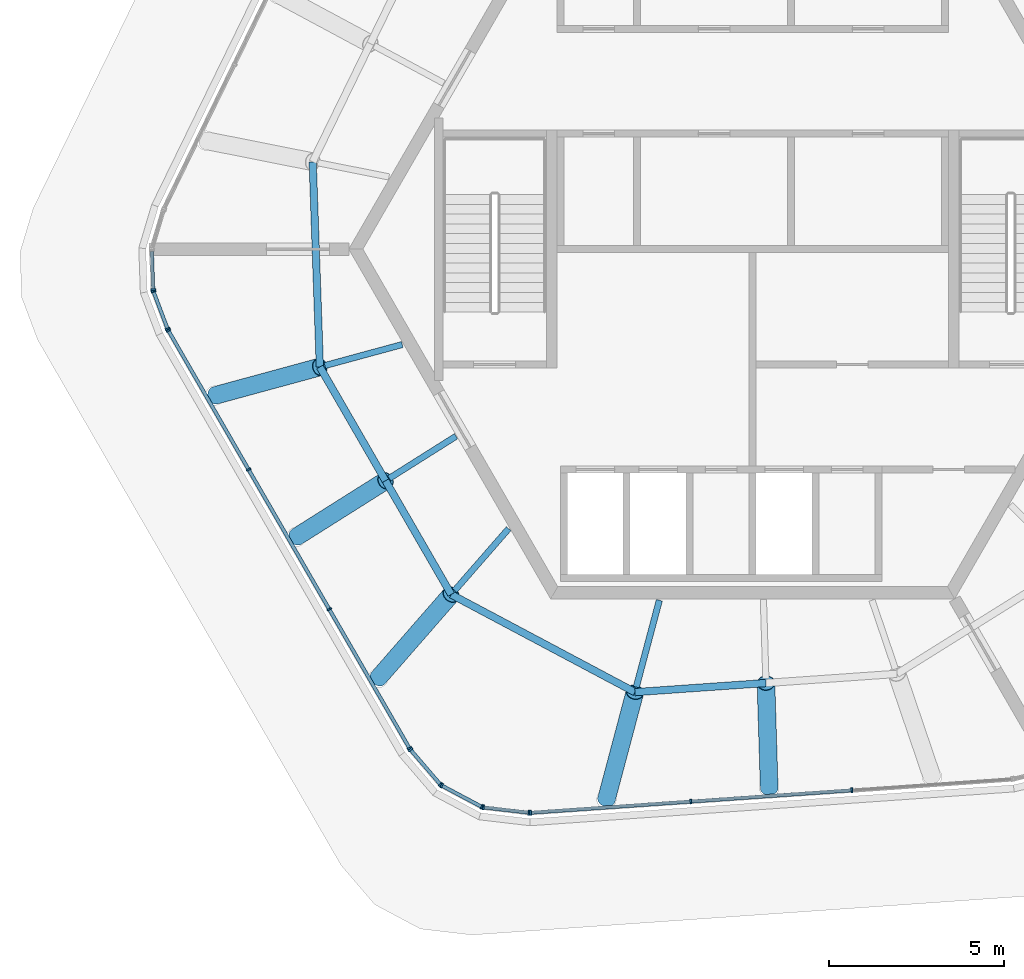
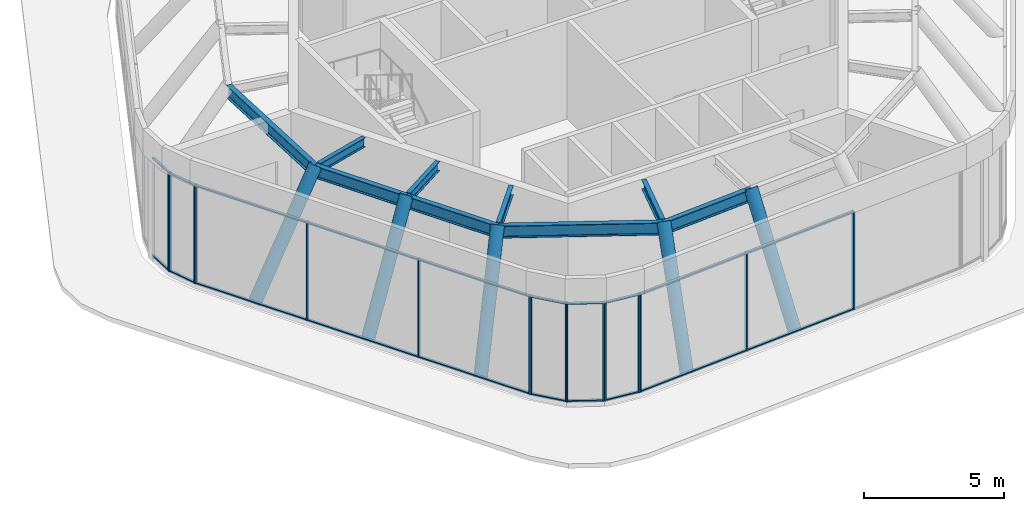
# One storey, part 1 of 9: 41 members, 9 beams, 7 elements without a shape of their own.
"""IFC4 building model written with IfcOpenShell, lengths in metres."""

from ifc_helpers import new_model, si_unit, direction, frame, origin, origin_2d, place, context, subcontext, project, spatial, rectangle, hollow_circle, i_section, extrude, material, material_profile, profile_set, type_object, element, aggregate, save


model = new_model("IFC4")

# Units and contexts
model_context = context("Model", 3, precision=1e-05, world=origin(), true_north=direction((0.0, 1.0)))
body_context = subcontext(model_context, "Body", "Model", "MODEL_VIEW")
ifc_project = project(units=[si_unit("LENGTHUNIT", "METRE"), si_unit("AREAUNIT", "SQUARE_METRE"), si_unit("VOLUMEUNIT", "CUBIC_METRE"), si_unit("PLANEANGLEUNIT", "RADIAN"), si_unit("MASSUNIT", "GRAM", prefix="KILO")], contexts=[model_context])

# Site, building, storey
site_placement = place(None, origin())
site = spatial("IfcSite", under=ifc_project, at=site_placement, CompositionType="ELEMENT")
building_placement = place(site_placement, origin())
building = spatial("IfcBuilding", under=site, at=building_placement, Name="Tarnside Tower", CompositionType="ELEMENT")
storey_placement = place(building_placement, frame((0.0, 0.0, 397.199951171875)))
storey = spatial("IfcBuildingStorey", under=building, at=storey_placement, Name="L94", CompositionType="ELEMENT", Elevation=397.199951171875)

# Curtain wall, members
ifc_material_1 = material(Name="Crown glazing wall", Category="glass")
curtain_wall_type = type_object("IfcCurtainWallType", Name="Crown glazing wall", PredefinedType="NOTDEFINED", material=ifc_material_1)
curtain_wall_1_placement = place(storey_placement, origin())
curtain_wall_1 = element("IfcCurtainWall", 1, at=curtain_wall_1_placement, inside=storey, type_object=curtain_wall_type, Name="Crown glazing L94 12", PredefinedType="NOTDEFINED")
ifc_material_2 = material(Name="Aluminium alloy 6063", Category="aluminium")
ifc_material_profile_1 = material_profile(ifc_material_2, rectangle(XDim=0.139892578125, YDim=0.050048828125, at=origin_2d()), Name="Crown glazing mullion 50 x 140")
ifc_profile_set_1 = profile_set([ifc_material_profile_1], Name="Aluminium alloy 6063")
member_type_1 = type_object("IfcMemberType", Name="Crown glazing mullion 50 x 140", PredefinedType="MULLION", material=ifc_profile_set_1)
member_1_placement = place(storey_placement, frame((2.835205078125, -15.469970703125, 0.0), z_axis=(0.0, 0.0, 1.0), x_axis=(0.069756473762, -0.997564050259, 0.0)))
member_1 = element("IfcMember", 2, at=member_1_placement, type_object=member_type_1, Name="CW6 mullion 2", PredefinedType="MULLION", context=body_context, shape_type="SweptSolid", body=[
    extrude(rectangle(XDim=0.139892578125, YDim=0.050048828125, at=origin_2d()), origin(), (0.0, 0.0, 1.0), 4.300048828125),
])
member_2_placement = place(storey_placement, frame((-1.76708984375, -15.791748046875, 0.0), z_axis=(0.0, 0.0, 1.0), x_axis=(0.069756473762, -0.997564050259, 0.0)))
member_2 = element("IfcMember", 3, at=member_2_placement, type_object=member_type_1, Name="CW6 mullion 3", PredefinedType="MULLION", context=body_context, shape_type="SweptSolid", body=[
    extrude(rectangle(XDim=0.139892578125, YDim=0.050048828125, at=origin_2d()), origin(), (0.0, 0.0, 1.0), 4.300048828125),
])
member_3_placement = place(storey_placement, frame((-6.344482421875, -16.11181640625, 0.0), z_axis=(0.0, 0.0, 1.0), x_axis=(0.069756473762, -0.997564050259, 0.0)))
member_3 = element("IfcMember", 4, at=member_3_placement, type_object=member_type_1, Name="CW6 mullion 4", PredefinedType="MULLION", context=body_context, shape_type="SweptSolid", body=[
    extrude(rectangle(XDim=0.139892578125, YDim=0.050048828125, at=origin_2d()), origin(), (0.0, 0.0, 1.0), 4.300048828125),
])

curtain_wall_2_placement = place(storey_placement, origin())
curtain_wall_2 = element("IfcCurtainWall", 5, at=curtain_wall_2_placement, inside=storey, type_object=curtain_wall_type, Name="Crown glazing L94 13", PredefinedType="NOTDEFINED")
member_4_placement = place(storey_placement, frame((-6.394287109375, -16.110595703125, 0.0), z_axis=(0.0, 0.0, 1.0), x_axis=(-0.116092914096, -0.993238357745, 0.0)))
member_4 = element("IfcMember", 6, at=member_4_placement, type_object=member_type_1, Name="CW6 mullion 1", PredefinedType="MULLION", context=body_context, shape_type="SweptSolid", body=[
    extrude(rectangle(XDim=0.139892578125, YDim=0.050048828125, at=origin_2d()), origin(), (0.0, 0.0, 1.0), 4.300048828125),
])
member_5_placement = place(storey_placement, frame((-7.698486328125, -15.958251953125, 0.0), z_axis=(0.0, 0.0, 1.0), x_axis=(-0.116092914096, -0.993238357745, 0.0)))
member_5 = element("IfcMember", 7, at=member_5_placement, type_object=member_type_1, Name="CW6 mullion 2", PredefinedType="MULLION", context=body_context, shape_type="SweptSolid", body=[
    extrude(rectangle(XDim=0.139892578125, YDim=0.050048828125, at=origin_2d()), origin(), (0.0, 0.0, 1.0), 4.300048828125),
])

curtain_wall_3_placement = place(storey_placement, origin())
curtain_wall_3 = element("IfcCurtainWall", 8, at=curtain_wall_3_placement, inside=storey, type_object=curtain_wall_type, Name="Crown glazing L94 14", PredefinedType="NOTDEFINED")
member_6_placement = place(storey_placement, frame((-7.74560546875, -15.943603515625, 0.0), z_axis=(0.0, 0.0, 1.0), x_axis=(-0.469471563094, -0.882947592695, 0.0)))
member_6 = element("IfcMember", 9, at=member_6_placement, type_object=member_type_1, Name="CW6 mullion 1", PredefinedType="MULLION", context=body_context, shape_type="SweptSolid", body=[
    extrude(rectangle(XDim=0.139892578125, YDim=0.050048828125, at=origin_2d()), origin(), (0.0, 0.0, 1.0), 4.300048828125),
])
member_7_placement = place(storey_placement, frame((-8.886474609375, -15.3369140625, 0.0), z_axis=(0.0, 0.0, 1.0), x_axis=(-0.469471563094, -0.882947592695, 0.0)))
member_7 = element("IfcMember", 10, at=member_7_placement, type_object=member_type_1, Name="CW6 mullion 2", PredefinedType="MULLION", context=body_context, shape_type="SweptSolid", body=[
    extrude(rectangle(XDim=0.139892578125, YDim=0.050048828125, at=origin_2d()), origin(), (0.0, 0.0, 1.0), 4.300048828125),
])

curtain_wall_4_placement = place(storey_placement, origin())
curtain_wall_4 = element("IfcCurtainWall", 11, at=curtain_wall_4_placement, inside=storey, type_object=curtain_wall_type, Name="Crown glazing L94 15", PredefinedType="NOTDEFINED")
member_8_placement = place(storey_placement, frame((-8.925048828125, -15.30615234375, 0.0), z_axis=(0.0, 0.0, 1.0), x_axis=(-0.758513583243, -0.651657228945, 0.0)))
member_8 = element("IfcMember", 12, at=member_8_placement, type_object=member_type_1, Name="CW6 mullion 1", PredefinedType="MULLION", context=body_context, shape_type="SweptSolid", body=[
    extrude(rectangle(XDim=0.139892578125, YDim=0.050048828125, at=origin_2d()), origin(), (0.0, 0.0, 1.0), 4.300048828125),
])
member_9_placement = place(storey_placement, frame((-9.78076171875, -14.31005859375, 0.0), z_axis=(0.0, 0.0, 1.0), x_axis=(-0.758513583243, -0.651657228945, 0.0)))
member_9 = element("IfcMember", 13, at=member_9_placement, type_object=member_type_1, Name="CW6 mullion 2", PredefinedType="MULLION", context=body_context, shape_type="SweptSolid", body=[
    extrude(rectangle(XDim=0.139892578125, YDim=0.050048828125, at=origin_2d()), origin(), (0.0, 0.0, 1.0), 4.300048828125),
])

curtain_wall_5_placement = place(storey_placement, origin())
curtain_wall_5 = element("IfcCurtainWall", 14, at=curtain_wall_5_placement, inside=storey, type_object=curtain_wall_type, Name="Crown glazing L94 16", PredefinedType="NOTDEFINED")
member_10_placement = place(storey_placement, frame((-9.8095703125, -14.269287109375, 0.0), z_axis=(0.0, 0.0, 1.0), x_axis=(-0.866025403776, -0.500000000015, 0.0)))
member_10 = element("IfcMember", 15, at=member_10_placement, type_object=member_type_1, Name="CW6 mullion 1", PredefinedType="MULLION", context=body_context, shape_type="SweptSolid", body=[
    extrude(rectangle(XDim=0.139892578125, YDim=0.050048828125, at=origin_2d()), origin(), (0.0, 0.0, 1.0), 4.300048828125),
])
member_11_placement = place(storey_placement, frame((-12.103759765625, -10.295654296875, 0.0), z_axis=(0.0, 0.0, 1.0), x_axis=(-0.866025403776, -0.500000000015, 0.0)))
member_11 = element("IfcMember", 16, at=member_11_placement, type_object=member_type_1, Name="CW6 mullion 2", PredefinedType="MULLION", context=body_context, shape_type="SweptSolid", body=[
    extrude(rectangle(XDim=0.139892578125, YDim=0.050048828125, at=origin_2d()), origin(), (0.0, 0.0, 1.0), 4.300048828125),
])
member_12_placement = place(storey_placement, frame((-14.410400390625, -6.30029296875, 0.0), z_axis=(0.0, 0.0, 1.0), x_axis=(-0.866025403776, -0.500000000015, 0.0)))
member_12 = element("IfcMember", 17, at=member_12_placement, type_object=member_type_1, Name="CW6 mullion 3", PredefinedType="MULLION", context=body_context, shape_type="SweptSolid", body=[
    extrude(rectangle(XDim=0.139892578125, YDim=0.050048828125, at=origin_2d()), origin(), (0.0, 0.0, 1.0), 4.300048828125),
])
member_13_placement = place(storey_placement, frame((-16.704833984375, -2.326416015625, 0.0), z_axis=(0.0, 0.0, 1.0), x_axis=(-0.866025403776, -0.500000000015, 0.0)))
member_13 = element("IfcMember", 18, at=member_13_placement, type_object=member_type_1, Name="CW6 mullion 4", PredefinedType="MULLION", context=body_context, shape_type="SweptSolid", body=[
    extrude(rectangle(XDim=0.139892578125, YDim=0.050048828125, at=origin_2d()), origin(), (0.0, 0.0, 1.0), 4.300048828125),
])

curtain_wall_6_placement = place(storey_placement, origin())
curtain_wall_6 = element("IfcCurtainWall", 19, at=curtain_wall_6_placement, inside=storey, type_object=curtain_wall_type, Name="Crown glazing L94 17", PredefinedType="NOTDEFINED")
member_14_placement = place(storey_placement, frame((-16.72607421875, -2.281494140625, 0.0), z_axis=(0.0, 0.0, 1.0), x_axis=(-0.935649515825, -0.352930564752, 0.0)))
member_14 = element("IfcMember", 20, at=member_14_placement, type_object=member_type_1, Name="CW6 mullion 1", PredefinedType="MULLION", context=body_context, shape_type="SweptSolid", body=[
    extrude(rectangle(XDim=0.139892578125, YDim=0.050048828125, at=origin_2d()), origin(), (0.0, 0.0, 1.0), 4.300048828125),
])
member_15_placement = place(storey_placement, frame((-17.130126953125, -1.21044921875, 0.0), z_axis=(0.0, 0.0, 1.0), x_axis=(-0.935649515825, -0.352930564752, 0.0)))
member_15 = element("IfcMember", 21, at=member_15_placement, type_object=member_type_1, Name="CW6 mullion 2", PredefinedType="MULLION", context=body_context, shape_type="SweptSolid", body=[
    extrude(rectangle(XDim=0.139892578125, YDim=0.050048828125, at=origin_2d()), origin(), (0.0, 0.0, 1.0), 4.300048828125),
])

# Curtain wall, member
curtain_wall_7_placement = place(storey_placement, origin())
curtain_wall_7 = element("IfcCurtainWall", 22, at=curtain_wall_7_placement, inside=storey, type_object=curtain_wall_type, Name="Crown glazing L94 18", PredefinedType="NOTDEFINED")
member_16_placement = place(storey_placement, frame((-17.1396484375, -1.162109375, 0.0), z_axis=(0.0, 0.0, 1.0), x_axis=(-0.999390827036, -0.034899496232, 0.0)))
member_16 = element("IfcMember", 23, at=member_16_placement, type_object=member_type_1, Name="CW6 mullion 1", PredefinedType="MULLION", context=body_context, shape_type="SweptSolid", body=[
    extrude(rectangle(XDim=0.139892578125, YDim=0.050048828125, at=origin_2d()), origin(), (0.0, 0.0, 1.0), 4.300048828125),
])

# Member
ifc_material_profile_2 = material_profile(ifc_material_2, rectangle(XDim=0.10009765625, YDim=0.050048828125, at=origin_2d()), Name="Crown glazing transom 50 x 100")
ifc_profile_set_2 = profile_set([ifc_material_profile_2], Name="Aluminium alloy 6063")
member_type_2 = type_object("IfcMemberType", Name="Crown glazing transom 50 x 100", PredefinedType="USERDEFINED", material=ifc_profile_set_2)
member_17_placement = place(storey_placement, frame((2.81005859375, -15.4716796875, 0.025146484375), z_axis=(-0.99756351166, -0.069764175652, 0.0), x_axis=(0.069764175652, -0.99756351166, 0.0)))
member_17 = element("IfcMember", 24, at=member_17_placement, type_object=member_type_2, Name="CW6 transom 2.1", ObjectType="TRANSOM", PredefinedType="USERDEFINED", context=body_context, shape_type="SweptSolid", body=[
    extrude(rectangle(XDim=0.10009765625, YDim=0.050048828125, at=origin_2d()), origin(), (0.0, 0.0, 1.0), 4.5634765625),
])

member_18_placement = place(storey_placement, frame((2.81005859375, -15.4716796875, 4.275146484375), z_axis=(-0.99756351166, -0.069764175652, 0.0), x_axis=(0.069764175652, -0.99756351166, 0.0)))
member_18 = element("IfcMember", 25, at=member_18_placement, type_object=member_type_2, Name="CW6 transom 2.2", ObjectType="TRANSOM", PredefinedType="USERDEFINED", context=body_context, shape_type="SweptSolid", body=[
    extrude(rectangle(XDim=0.10009765625, YDim=0.050048828125, at=origin_2d()), origin(), (0.0, 0.0, 1.0), 4.5634765625),
])

member_19_placement = place(storey_placement, frame((-1.7919921875, -15.79345703125, 0.025146484375), z_axis=(-0.997563274343, -0.069767568985, 0.0), x_axis=(0.069767568985, -0.997563274343, 0.0)))
member_19 = element("IfcMember", 26, at=member_19_placement, type_object=member_type_2, Name="CW6 transom 3.1", ObjectType="TRANSOM", PredefinedType="USERDEFINED", context=body_context, shape_type="SweptSolid", body=[
    extrude(rectangle(XDim=0.10009765625, YDim=0.050048828125, at=origin_2d()), origin(), (0.0, 0.0, 1.0), 4.53857421875),
])

member_20_placement = place(storey_placement, frame((-1.7919921875, -15.79345703125, 4.275146484375), z_axis=(-0.997563274343, -0.069767568985, 0.0), x_axis=(0.069767568985, -0.997563274343, 0.0)))
member_20 = element("IfcMember", 27, at=member_20_placement, type_object=member_type_2, Name="CW6 transom 3.2", ObjectType="TRANSOM", PredefinedType="USERDEFINED", context=body_context, shape_type="SweptSolid", body=[
    extrude(rectangle(XDim=0.10009765625, YDim=0.050048828125, at=origin_2d()), origin(), (0.0, 0.0, 1.0), 4.53857421875),
])

aggregate(curtain_wall_1, [member_1, member_2, member_3, member_17, member_18, member_19, member_20])

member_21_placement = place(storey_placement, frame((-6.4189453125, -16.107666015625, 0.025146484375), z_axis=(-0.993255723062, 0.115944247828, 0.0), x_axis=(-0.115944247828, -0.993255723062, 0.0)))
member_21 = element("IfcMember", 28, at=member_21_placement, type_object=member_type_2, Name="CW6 transom 1.1", ObjectType="TRANSOM", PredefinedType="USERDEFINED", context=body_context, shape_type="SweptSolid", body=[
    extrude(rectangle(XDim=0.10009765625, YDim=0.050048828125, at=origin_2d()), origin(), (0.0, 0.0, 1.0), 1.263427734375),
])

member_22_placement = place(storey_placement, frame((-6.4189453125, -16.107666015625, 4.275146484375), z_axis=(-0.993255723062, 0.115944247828, 0.0), x_axis=(-0.115944247828, -0.993255723062, 0.0)))
member_22 = element("IfcMember", 29, at=member_22_placement, type_object=member_type_2, Name="CW6 transom 1.2", ObjectType="TRANSOM", PredefinedType="USERDEFINED", context=body_context, shape_type="SweptSolid", body=[
    extrude(rectangle(XDim=0.10009765625, YDim=0.050048828125, at=origin_2d()), origin(), (0.0, 0.0, 1.0), 1.263427734375),
])

aggregate(curtain_wall_2, [member_4, member_5, member_21, member_22])

member_23_placement = place(storey_placement, frame((-7.767578125, -15.931884765625, 0.025146484375), z_axis=(-0.882945187875, 0.469476085874, 0.0), x_axis=(-0.469476085874, -0.882945187875, 0.0)))
member_23 = element("IfcMember", 30, at=member_23_placement, type_object=member_type_2, Name="CW6 transom 1.1", ObjectType="TRANSOM", PredefinedType="USERDEFINED", context=body_context, shape_type="SweptSolid", body=[
    extrude(rectangle(XDim=0.10009765625, YDim=0.050048828125, at=origin_2d()), origin(), (0.0, 0.0, 1.0), 1.242431640625),
])

member_24_placement = place(storey_placement, frame((-7.767578125, -15.931884765625, 4.275146484375), z_axis=(-0.882945187875, 0.469476085874, 0.0), x_axis=(-0.469476085874, -0.882945187875, 0.0)))
member_24 = element("IfcMember", 31, at=member_24_placement, type_object=member_type_2, Name="CW6 transom 1.2", ObjectType="TRANSOM", PredefinedType="USERDEFINED", context=body_context, shape_type="SweptSolid", body=[
    extrude(rectangle(XDim=0.10009765625, YDim=0.050048828125, at=origin_2d()), origin(), (0.0, 0.0, 1.0), 1.242431640625),
])

aggregate(curtain_wall_3, [member_6, member_7, member_23, member_24])

member_25_placement = place(storey_placement, frame((-8.941162109375, -15.287109375, 0.025146484375), z_axis=(-0.65165036566, 0.758519479602, 0.0), x_axis=(-0.758519479602, -0.65165036566, 0.0)))
member_25 = element("IfcMember", 32, at=member_25_placement, type_object=member_type_2, Name="CW6 transom 1.1", ObjectType="TRANSOM", PredefinedType="USERDEFINED", context=body_context, shape_type="SweptSolid", body=[
    extrude(rectangle(XDim=0.10009765625, YDim=0.050048828125, at=origin_2d()), origin(), (0.0, 0.0, 1.0), 1.263427734375),
])

member_26_placement = place(storey_placement, frame((-8.941162109375, -15.287109375, 4.275146484375), z_axis=(-0.65165036566, 0.758519479602, 0.0), x_axis=(-0.758519479602, -0.65165036566, 0.0)))
member_26 = element("IfcMember", 33, at=member_26_placement, type_object=member_type_2, Name="CW6 transom 1.2", ObjectType="TRANSOM", PredefinedType="USERDEFINED", context=body_context, shape_type="SweptSolid", body=[
    extrude(rectangle(XDim=0.10009765625, YDim=0.050048828125, at=origin_2d()), origin(), (0.0, 0.0, 1.0), 1.263427734375),
])

aggregate(curtain_wall_4, [member_8, member_9, member_25, member_26])

member_27_placement = place(storey_placement, frame((-9.822021484375, -14.247802734375, 0.025146484375), z_axis=(-0.500009602748, 0.866019859564, 0.0), x_axis=(-0.866019859564, -0.500009602748, 0.0)))
member_27 = element("IfcMember", 34, at=member_27_placement, type_object=member_type_2, Name="CW6 transom 1.1", ObjectType="TRANSOM", PredefinedType="USERDEFINED", context=body_context, shape_type="SweptSolid", body=[
    extrude(rectangle(XDim=0.10009765625, YDim=0.050048828125, at=origin_2d()), origin(), (0.0, 0.0, 1.0), 4.53857421875),
])

member_28_placement = place(storey_placement, frame((-9.822021484375, -14.247802734375, 4.275146484375), z_axis=(-0.500009602748, 0.866019859564, 0.0), x_axis=(-0.866019859564, -0.500009602748, 0.0)))
member_28 = element("IfcMember", 35, at=member_28_placement, type_object=member_type_2, Name="CW6 transom 1.2", ObjectType="TRANSOM", PredefinedType="USERDEFINED", context=body_context, shape_type="SweptSolid", body=[
    extrude(rectangle(XDim=0.10009765625, YDim=0.050048828125, at=origin_2d()), origin(), (0.0, 0.0, 1.0), 4.53857421875),
])

member_29_placement = place(storey_placement, frame((-12.1162109375, -10.27392578125, 0.025146484375), z_axis=(-0.500017301722, 0.8660154144, 0.0), x_axis=(-0.8660154144, -0.500017301722, 0.0)))
member_29 = element("IfcMember", 36, at=member_29_placement, type_object=member_type_2, Name="CW6 transom 2.1", ObjectType="TRANSOM", PredefinedType="USERDEFINED", context=body_context, shape_type="SweptSolid", body=[
    extrude(rectangle(XDim=0.10009765625, YDim=0.050048828125, at=origin_2d()), origin(), (0.0, 0.0, 1.0), 4.563232421875),
])

member_30_placement = place(storey_placement, frame((-12.1162109375, -10.27392578125, 4.275146484375), z_axis=(-0.500017301722, 0.8660154144, 0.0), x_axis=(-0.8660154144, -0.500017301722, 0.0)))
member_30 = element("IfcMember", 37, at=member_30_placement, type_object=member_type_2, Name="CW6 transom 2.2", ObjectType="TRANSOM", PredefinedType="USERDEFINED", context=body_context, shape_type="SweptSolid", body=[
    extrude(rectangle(XDim=0.10009765625, YDim=0.050048828125, at=origin_2d()), origin(), (0.0, 0.0, 1.0), 4.563232421875),
])

member_31_placement = place(storey_placement, frame((-14.423095703125, -6.278564453125, 0.025146484375), z_axis=(-0.499969256591, 0.866043152772, 0.0), x_axis=(-0.866043152772, -0.499969256591, 0.0)))
member_31 = element("IfcMember", 38, at=member_31_placement, type_object=member_type_2, Name="CW6 transom 3.1", ObjectType="TRANSOM", PredefinedType="USERDEFINED", context=body_context, shape_type="SweptSolid", body=[
    extrude(rectangle(XDim=0.10009765625, YDim=0.050048828125, at=origin_2d()), origin(), (0.0, 0.0, 1.0), 4.538330078125),
])

member_32_placement = place(storey_placement, frame((-14.423095703125, -6.278564453125, 4.275146484375), z_axis=(-0.499969256591, 0.866043152772, 0.0), x_axis=(-0.866043152772, -0.499969256591, 0.0)))
member_32 = element("IfcMember", 39, at=member_32_placement, type_object=member_type_2, Name="CW6 transom 3.2", ObjectType="TRANSOM", PredefinedType="USERDEFINED", context=body_context, shape_type="SweptSolid", body=[
    extrude(rectangle(XDim=0.10009765625, YDim=0.050048828125, at=origin_2d()), origin(), (0.0, 0.0, 1.0), 4.538330078125),
])

aggregate(curtain_wall_5, [member_10, member_11, member_12, member_13, member_27, member_28, member_29, member_30, member_31, member_32])

member_33_placement = place(storey_placement, frame((-16.73486328125, -2.258056640625, 0.025146484375), z_axis=(-0.353053568888, 0.93560310896, 0.0), x_axis=(-0.93560310896, -0.353053568888, 0.0)))
member_33 = element("IfcMember", 40, at=member_33_placement, type_object=member_type_2, Name="CW6 transom 1.1", ObjectType="TRANSOM", PredefinedType="USERDEFINED", context=body_context, shape_type="SweptSolid", body=[
    extrude(rectangle(XDim=0.10009765625, YDim=0.050048828125, at=origin_2d()), origin(), (0.0, 0.0, 1.0), 1.0947265625),
])

member_34_placement = place(storey_placement, frame((-16.73486328125, -2.258056640625, 4.275146484375), z_axis=(-0.353053568888, 0.93560310896, 0.0), x_axis=(-0.93560310896, -0.353053568888, 0.0)))
member_34 = element("IfcMember", 41, at=member_34_placement, type_object=member_type_2, Name="CW6 transom 1.2", ObjectType="TRANSOM", PredefinedType="USERDEFINED", context=body_context, shape_type="SweptSolid", body=[
    extrude(rectangle(XDim=0.10009765625, YDim=0.050048828125, at=origin_2d()), origin(), (0.0, 0.0, 1.0), 1.0947265625),
])

aggregate(curtain_wall_6, [member_14, member_15, member_33, member_34])

member_35_placement = place(storey_placement, frame((-17.140625, -1.13720703125, 0.025146484375), z_axis=(-0.034923090636, 0.999390002822, 0.0), x_axis=(-0.999390002822, -0.034923090636, 0.0)))
member_35 = element("IfcMember", 42, at=member_35_placement, type_object=member_type_2, Name="CW6 transom 1.1", ObjectType="TRANSOM", PredefinedType="USERDEFINED", context=body_context, shape_type="SweptSolid", body=[
    extrude(rectangle(XDim=0.10009765625, YDim=0.050048828125, at=origin_2d()), origin(), (0.0, 0.0, 1.0), 1.07666015625),
])

member_36_placement = place(storey_placement, frame((-17.140625, -1.13720703125, 4.275146484375), z_axis=(-0.034923090636, 0.999390002822, 0.0), x_axis=(-0.999390002822, -0.034923090636, 0.0)))
member_36 = element("IfcMember", 43, at=member_36_placement, type_object=member_type_2, Name="CW6 transom 1.2", ObjectType="TRANSOM", PredefinedType="USERDEFINED", context=body_context, shape_type="SweptSolid", body=[
    extrude(rectangle(XDim=0.10009765625, YDim=0.050048828125, at=origin_2d()), origin(), (0.0, 0.0, 1.0), 1.07666015625),
])

aggregate(curtain_wall_7, [member_16, member_35, member_36])

# Beams
ifc_material_3 = material(Name="Steel S355", Category="steel")
ifc_material_profile_3 = material_profile(ifc_material_3, i_section(OverallWidth=0.177978515625, OverallDepth=0.406494140625, WebThickness=0.0078125, FlangeThickness=0.0126953125, FilletRadius=0.01025390625, at=origin_2d()), Name="UB 406x178x60")
ifc_profile_set_3 = profile_set([ifc_material_profile_3], Name="Steel S355")
beam_type_1 = type_object("IfcBeamType", Name="Floor beam UB 406x178x60", PredefinedType="BEAM", material=ifc_profile_set_3)
beam_1_placement = place(storey_placement, frame((-12.23046875, -3.329833984375, 4.096923828125), z_axis=(0.964886519006, 0.262667100034, 0.0), x_axis=(-0.262667100034, 0.964886519006, 0.0)))
element("IfcBeam", 44, at=beam_1_placement, inside=storey, type_object=beam_type_1, Name="Floor beam RB7", PredefinedType="BEAM", context=body_context, shape_type="SweptSolid", body=[
    extrude(i_section(OverallWidth=0.177978515625, OverallDepth=0.406494140625, WebThickness=0.0078125, FlangeThickness=0.0126953125, FilletRadius=0.01025390625, at=origin_2d()), origin(), (0.0, 0.0, 1.0), 2.2939453125),
])
beam_2_placement = place(storey_placement, frame((-10.390380859375, -6.55419921875, 4.096923828125), z_axis=(0.845827997424, 0.533455713976, 0.0), x_axis=(-0.533455713976, 0.845827997424, 0.0)))
element("IfcBeam", 45, at=beam_2_placement, inside=storey, type_object=beam_type_1, Name="Floor beam RB8", PredefinedType="BEAM", context=body_context, shape_type="SweptSolid", body=[
    extrude(i_section(OverallWidth=0.177978515625, OverallDepth=0.406494140625, WebThickness=0.0078125, FlangeThickness=0.0126953125, FilletRadius=0.01025390625, at=origin_2d()), origin(), (0.0, 0.0, 1.0), 2.257080078125),
])
beam_3_placement = place(storey_placement, frame((-8.51904296875, -9.759521484375, 4.096923828125), z_axis=(0.657553581217, 0.753407783228, 0.0), x_axis=(-0.753407783228, 0.657553581217, 0.0)))
element("IfcBeam", 46, at=beam_3_placement, inside=storey, type_object=beam_type_1, Name="Floor beam RB9", PredefinedType="BEAM", context=body_context, shape_type="SweptSolid", body=[
    extrude(i_section(OverallWidth=0.177978515625, OverallDepth=0.406494140625, WebThickness=0.0078125, FlangeThickness=0.0126953125, FilletRadius=0.01025390625, at=origin_2d()), origin(), (0.0, 0.0, 1.0), 2.345703125),
])
beam_4_placement = place(storey_placement, frame((-3.3271484375, -12.52001953125, 4.096923828125), z_axis=(0.256828083456, 0.966457104867, 0.0), x_axis=(-0.966457104867, 0.256828083456, 0.0)))
element("IfcBeam", 47, at=beam_4_placement, inside=storey, type_object=beam_type_1, Name="Floor beam RB10", PredefinedType="BEAM", context=body_context, shape_type="SweptSolid", body=[
    extrude(i_section(OverallWidth=0.177978515625, OverallDepth=0.406494140625, WebThickness=0.0078125, FlangeThickness=0.0126953125, FilletRadius=0.01025390625, at=origin_2d()), origin(), (0.0, 0.0, 1.0), 2.567626953125),
])
ifc_material_profile_4 = material_profile(ifc_material_3, i_section(OverallWidth=0.209228515625, OverallDepth=0.533203125, WebThickness=0.010009765625, FlangeThickness=0.015625, FilletRadius=0.0126953125, at=origin_2d()), Name="UB 533x210x92")
ifc_profile_set_4 = profile_set([ifc_material_profile_4], Name="Steel S355")
beam_type_2 = type_object("IfcBeamType", Name="Floor beam UB 533x210x92", PredefinedType="BEAM", material=ifc_profile_set_4)
beam_5_placement = place(storey_placement, frame((-12.578125, 2.497314453125, 4.033447265625), z_axis=(0.034897779755, -0.999390886975, 0.0), x_axis=(0.999390886975, 0.034897779755, 0.0)))
element("IfcBeam", 48, at=beam_5_placement, inside=storey, type_object=beam_type_2, Name="Floor beam R6", PredefinedType="BEAM", context=body_context, shape_type="SweptSolid", body=[
    extrude(i_section(OverallWidth=0.209228515625, OverallDepth=0.533203125, WebThickness=0.010009765625, FlangeThickness=0.015625, FilletRadius=0.0126953125, at=origin_2d()), origin(), (0.0, 0.0, 1.0), 5.86962890625),
])
for number, where, z_axis, x_axis, name in (
    (49, (-12.373291015625, -3.36865234375, 4.033447265625), (0.499956947049, -0.866050258991, 0.0), (0.866050258991, 0.499956947049, 0.0), "Floor beam R7"),
    (50, (-10.495849609375, -6.620849609375, 4.033447265625), (0.500033860368, -0.866005853609, 0.0), (0.866005853609, 0.500033860368, 0.0), "Floor beam R8"),
):
    element("IfcBeam", number, at=place(storey_placement, frame(where, z_axis=z_axis, x_axis=x_axis)), inside=storey, type_object=beam_type_2, Name=name, PredefinedType="BEAM", context=body_context, shape_type="SweptSolid", body=[
        extrude(i_section(OverallWidth=0.209228515625, OverallDepth=0.533203125, WebThickness=0.010009765625, FlangeThickness=0.015625, FilletRadius=0.0126953125, at=origin_2d()), origin(), (0.0, 0.0, 1.0), 3.755126953125),
    ])
beam_6_placement = place(storey_placement, frame((-8.6181640625, -9.872802734375, 4.033447265625), z_axis=(0.882950939347, -0.469465268903, 0.0), x_axis=(0.469465268903, 0.882950939347, 0.0)))
element("IfcBeam", 51, at=beam_6_placement, inside=storey, type_object=beam_type_2, Name="Floor beam R9", PredefinedType="BEAM", context=body_context, shape_type="SweptSolid", body=[
    extrude(i_section(OverallWidth=0.209228515625, OverallDepth=0.533203125, WebThickness=0.010009765625, FlangeThickness=0.015625, FilletRadius=0.0126953125, at=origin_2d()), origin(), (0.0, 0.0, 1.0), 5.94873046875),
])
beam_7_placement = place(storey_placement, frame((-3.36572265625, -12.66552734375, 4.033447265625), z_axis=(0.997568377885, 0.069694558205, 0.0), x_axis=(-0.069694558205, 0.997568377885, 0.0)))
element("IfcBeam", 52, at=beam_7_placement, inside=storey, type_object=beam_type_2, Name="Floor beam R10", PredefinedType="BEAM", context=body_context, shape_type="SweptSolid", body=[
    extrude(i_section(OverallWidth=0.209228515625, OverallDepth=0.533203125, WebThickness=0.010009765625, FlangeThickness=0.015625, FilletRadius=0.0126953125, at=origin_2d()), origin(), (0.0, 0.0, 1.0), 3.755126953125),
])

# Members
ifc_material_profile_5 = material_profile(ifc_material_3, hollow_circle(Radius=0.25390625, WallThickness=0.01611328125, at=origin_2d()), Name="CHS 508x16")
ifc_profile_set_5 = profile_set([ifc_material_profile_5], Name="Steel S355")
member_type_3 = type_object("IfcMemberType", Name="Truss diagonal CHS 508x16", PredefinedType="BRACE", material=ifc_profile_set_5)
member_37_placement = place(storey_placement, frame((-15.366943359375, -4.18359375, -0.199951171875), z_axis=(0.547695949355, 0.149095504726, 0.823285902667), x_axis=(-0.26266461116, 0.964887196539, 0.0)))
element("IfcMember", 53, at=member_37_placement, inside=storey, type_object=member_type_3, Name="Crown leg L94 7", PredefinedType="BRACE", context=body_context, shape_type="SweptSolid", body=[
    extrude(hollow_circle(Radius=0.25390625, WallThickness=0.01611328125, at=origin_2d()), origin(), (0.0, 0.0, 1.0), 5.4658203125),
])
member_38_placement = place(storey_placement, frame((-13.03515625, -8.22265625, -0.199951171875), z_axis=(0.469406741932, 0.296103993252, 0.831853193664), x_axis=(-0.533524809985, 0.84578441528, 0.0)))
element("IfcMember", 54, at=member_38_placement, inside=storey, type_object=member_type_3, Name="Crown leg L94 8", PredefinedType="BRACE", context=body_context, shape_type="SweptSolid", body=[
    extrude(hollow_circle(Radius=0.25390625, WallThickness=0.01611328125, at=origin_2d()), origin(), (0.0, 0.0, 1.0), 5.40966796875),
])
for number, where, z_axis, x_axis, name in (
    (55, (-10.703125, -12.261474609375, -0.199951171875), (0.378753306033, 0.433925333281, 0.81746849377), (-0.753377492683, 0.657588285722, 0.0), "Crown leg L94 9"),
    (56, (-4.18017578125, -15.72998046875, -0.199951171875), (0.147949885416, 0.556674748722, 0.817449726613), (-0.966449297425, 0.256857461457, 0.0), "Crown leg L94 10"),
):
    element("IfcMember", number, at=place(storey_placement, frame(where, z_axis=z_axis, x_axis=x_axis)), inside=storey, type_object=member_type_3, Name=name, PredefinedType="BRACE", context=body_context, shape_type="SweptSolid", body=[
        extrude(hollow_circle(Radius=0.25390625, WallThickness=0.01611328125, at=origin_2d()), origin(), (0.0, 0.0, 1.0), 5.5048828125),
    ])
member_39_placement = place(storey_placement, frame((0.472412109375, -15.404541015625, -0.199951171875), z_axis=(-0.017014647982, 0.554713629579, 0.831867351753), x_axis=(-0.999529919806, -0.030658431354, 0.0)))
element("IfcMember", 57, at=member_39_placement, inside=storey, type_object=member_type_3, Name="Crown leg L94 11", PredefinedType="BRACE", context=body_context, shape_type="SweptSolid", body=[
    extrude(hollow_circle(Radius=0.25390625, WallThickness=0.01611328125, at=origin_2d()), origin(), (0.0, 0.0, 1.0), 5.409423828125),
])

save(model, "model.ifc")
